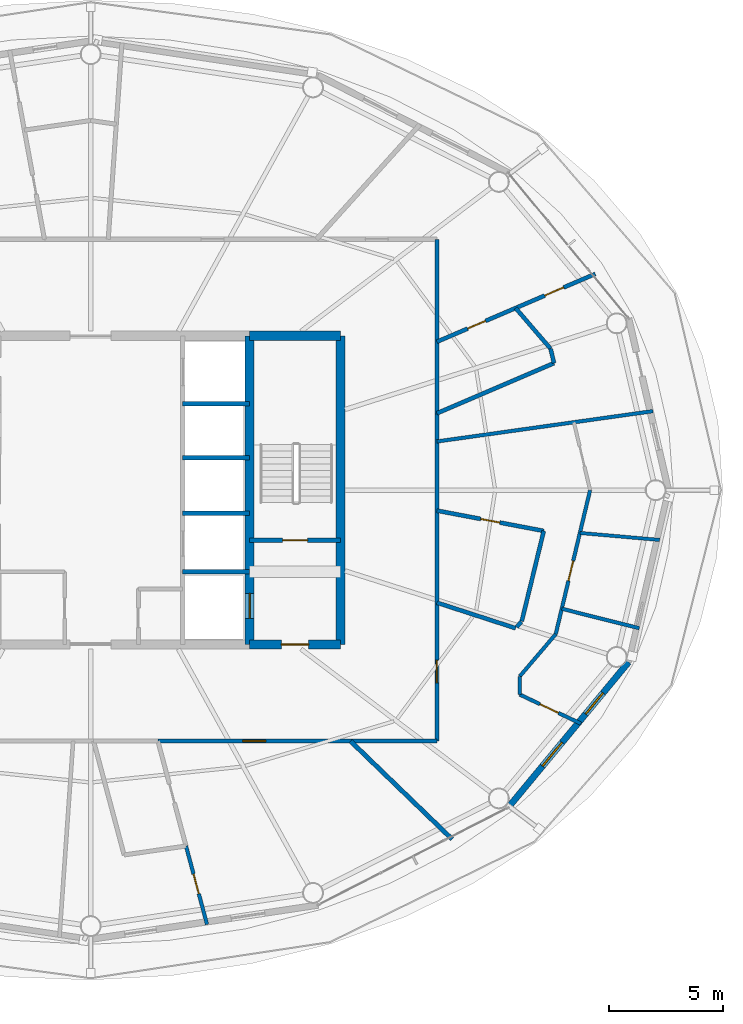
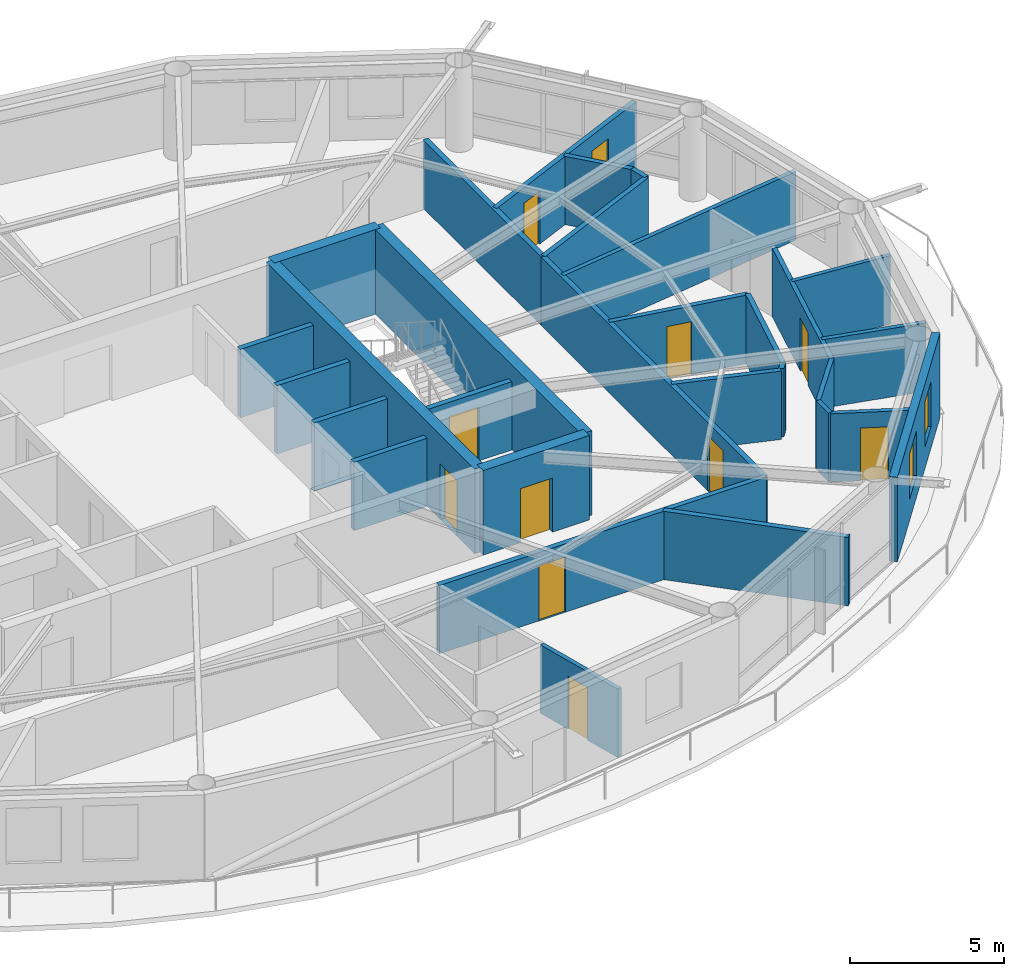
# One storey, part 17 of 22: 30 walls, 11 doors, 2 windows, 13 openings.
"""IFC4 building model written with IfcOpenShell, lengths in metres."""

from ifc_helpers import new_model, si_unit, direction, frame, frame_2d, origin, place, context, subcontext, project, spatial, rectangle, extrude, material, layer, layer_set, type_object, element, fill, save


model = new_model("IFC4")

# Units and contexts
model_context = context("Model", 3, precision=1e-05, world=origin(), true_north=direction((0.0, 1.0)))
body_context = subcontext(model_context, "Body", "Model", "MODEL_VIEW")
ifc_project = project(units=[si_unit("LENGTHUNIT", "METRE"), si_unit("AREAUNIT", "SQUARE_METRE"), si_unit("VOLUMEUNIT", "CUBIC_METRE"), si_unit("PLANEANGLEUNIT", "RADIAN"), si_unit("MASSUNIT", "GRAM", prefix="KILO")], contexts=[model_context])

# Site, building, storey
site_placement = place(None, origin())
site = spatial("IfcSite", under=ifc_project, at=site_placement, CompositionType="ELEMENT")
building_placement = place(site_placement, origin())
building = spatial("IfcBuilding", under=site, at=building_placement, Name="Sarneth Arch Tower", CompositionType="ELEMENT")
storey_placement = place(building_placement, frame((0.0, 0.0, 213.60009765625)))
storey = spatial("IfcBuildingStorey", under=building, at=storey_placement, Name="L54", CompositionType="ELEMENT", Elevation=213.60009765625)

# Wall, opening, door
ifc_material_1 = material(Name="Concrete C50/60", Category="concrete")
ifc_layer_1 = layer(ifc_material_1, 0.39990234375)
ifc_layer_set_1 = layer_set([ifc_layer_1], Name="Concrete C50/60")
wall_type_1 = type_object("IfcWallType", Name="WALL-CORE-400", PredefinedType="SHEAR", material=ifc_layer_set_1)
wall_1_placement = place(storey_placement, frame((55.0, 35.199951171875, 0.0), z_axis=(0.0, 0.0, 1.0), x_axis=(1.0, 0.0, 0.0)))
wall_1 = element("IfcWall", 1, at=wall_1_placement, inside=storey, type_object=wall_type_1, Name="L54 Core shear wall S-E", PredefinedType="SHEAR", context=body_context, shape_type="SweptSolid", body=[
    extrude(rectangle(XDim=4.0, YDim=0.39990234375, at=frame_2d((2.0, 0.0))), origin(), (0.0, 0.0, 1.0), 3.35986328125),
])
opening_1_placement = place(wall_1_placement, frame((1.39990234375, 0.0, 0.0)))
opening_1 = element("IfcOpeningElement", 2, at=opening_1_placement, cuts=wall_1, Name="Opening FD-02", PredefinedType="OPENING", context=body_context, shape_type="SweptSolid", body=[
    extrude(rectangle(XDim=1.199951171875, YDim=2.14990234375, at=frame_2d((0.60009765625, 1.074951171875))), frame((0.0, 0.2099609375, 0.0), z_axis=(0.0, -1.0, 0.0), x_axis=(1.0, 0.0, 0.0)), (0.0, 0.0, 1.0), 0.419921875),
])
ifc_material_2 = material(Name="Galvanised Steel S275 fire door set", Category="steel")
door_type_1 = type_object("IfcDoorType", Name="DR-FD90-1200", OperationType="SINGLE_SWING_LEFT", PredefinedType="DOOR", material=ifc_material_2)
door_1_placement = place(opening_1_placement, origin())
door_1 = element("IfcDoor", 3, at=door_1_placement, inside=storey, type_object=door_type_1, Name="L54 Firefighting lobby 2 exit door", OperationType="SINGLE_SWING_RIGHT", OverallHeight=2.14990234375, OverallWidth=1.199951171875, PredefinedType="DOOR", context=body_context, shape_type="SweptSolid", body=[
    extrude(rectangle(XDim=1.199951171875, YDim=2.14990234375, at=frame_2d((0.60009765625, 1.074951171875))), frame((0.0, 0.02490234375, 0.0), z_axis=(0.0, -1.0, 0.0), x_axis=(1.0, 0.0, 0.0)), (0.0, 0.0, 1.0), 0.050048828125),
])
fill(opening_1, door_1)

# Walls
wall_2_placement = place(storey_placement, frame((55.0, 48.800048828125, 0.0), z_axis=(0.0, 0.0, 1.0), x_axis=(1.0, 0.0, 0.0)))
element("IfcWall", 4, at=wall_2_placement, inside=storey, type_object=wall_type_1, Name="L54 Core shear wall N-E", PredefinedType="SHEAR", context=body_context, shape_type="SweptSolid", body=[
    extrude(rectangle(XDim=4.0, YDim=0.39990234375, at=frame_2d((2.0, 0.0))), origin(), (0.0, 0.0, 1.0), 3.35986328125),
])
wall_3_placement = place(storey_placement, frame((59.0, 35.199951171875, 0.0), z_axis=(0.0, 0.0, 1.0), x_axis=(0.0, 1.0, 0.0)))
element("IfcWall", 5, at=wall_3_placement, inside=storey, type_object=wall_type_1, Name="L54 Core shear wall E", PredefinedType="SHEAR", context=body_context, shape_type="SweptSolid", body=[
    extrude(rectangle(XDim=13.60009765625, YDim=0.39990234375, at=frame_2d((6.800048828125, 0.0))), origin(), (0.0, 0.0, 1.0), 3.35986328125),
])

# Wall, opening, door
wall_4_placement = place(storey_placement, frame((55.0, 35.199951171875, 0.0), z_axis=(0.0, 0.0, 1.0), x_axis=(0.0, 1.0, 0.0)))
wall_4 = element("IfcWall", 6, at=wall_4_placement, inside=storey, type_object=wall_type_1, Name="L54 Core shear wall WEB-E", PredefinedType="SHEAR", context=body_context, shape_type="SweptSolid", body=[
    extrude(rectangle(XDim=13.60009765625, YDim=0.39990234375, at=frame_2d((6.800048828125, 0.0))), origin(), (0.0, 0.0, 1.0), 3.35986328125),
])
opening_2_placement = place(wall_4_placement, frame((1.14990234375, 0.0, 0.0)))
opening_2 = element("IfcOpeningElement", 7, at=opening_2_placement, cuts=wall_4, Name="Opening LD-1", PredefinedType="OPENING", context=body_context, shape_type="SweptSolid", body=[
    extrude(rectangle(XDim=1.10009765625, YDim=2.199951171875, at=frame_2d((0.550048828125, 1.10009765625))), frame((0.0, 0.2099609375, 0.0), z_axis=(0.0, -1.0, 0.0), x_axis=(1.0, 0.0, 0.0)), (0.0, 0.0, 1.0), 0.419921875),
])
ifc_material_3 = material(Name="Brushed Stainless Steel 304 lift landing door", Category="steel")
door_type_2 = type_object("IfcDoorType", Name="DR-LIFT-SLIDE-1100", OperationType="SLIDING_TO_LEFT", PredefinedType="DOOR", material=ifc_material_3)
door_2_placement = place(opening_2_placement, origin())
door_2 = element("IfcDoor", 8, at=door_2_placement, inside=storey, type_object=door_type_2, Name="L54 Firefighting lift landing door FL-2", OperationType="SLIDING_TO_RIGHT", OverallHeight=2.199951171875, OverallWidth=1.10009765625, PredefinedType="DOOR", context=body_context, shape_type="SweptSolid", body=[
    extrude(rectangle(XDim=1.10009765625, YDim=2.199951171875, at=frame_2d((0.550048828125, 1.10009765625))), frame((0.0, 0.02490234375, 0.0), z_axis=(0.0, -1.0, 0.0), x_axis=(1.0, 0.0, 0.0)), (0.0, 0.0, 1.0), 0.050048828125),
])
fill(opening_2, door_2)

ifc_material_4 = material(Name="Double steel-stud corridor fire wall", Category="steel")
ifc_layer_2 = layer(ifc_material_4, 0.18994140625)
ifc_layer_set_2 = layer_set([ifc_layer_2], Name="Double steel-stud corridor fire wall")
wall_type_2 = type_object("IfcWallType", Name="WALL-CORR-190", PredefinedType="PARTITIONING", material=ifc_layer_set_2)
wall_5_placement = place(storey_placement, frame((50.960693359375, 30.949951171875, 0.0), z_axis=(0.0, 0.0, 1.0), x_axis=(1.0, 0.0, 0.0)))
wall_5 = element("IfcWall", 9, at=wall_5_placement, inside=storey, type_object=wall_type_2, Name="L54 Interior partition W-L54-TP-017", PredefinedType="PARTITIONING", context=body_context, shape_type="SweptSolid", body=[
    extrude(rectangle(XDim=12.289306640625, YDim=0.18994140625, at=frame_2d((6.14453125, 0.0))), origin(), (0.0, 0.0, 1.0), 2.719970703125),
])
opening_3_placement = place(wall_5_placement, frame((3.740966796875, 0.0, 0.0)))
opening_3 = element("IfcOpeningElement", 10, at=opening_3_placement, cuts=wall_5, Name="Opening FD-08", PredefinedType="OPENING", context=body_context, shape_type="SweptSolid", body=[
    extrude(rectangle(XDim=1.0, YDim=2.199951171875, at=frame_2d((0.5, 1.10009765625))), frame((0.0, 0.10498046875, 0.0), z_axis=(0.0, -1.0, 0.0), x_axis=(1.0, 0.0, 0.0)), (0.0, 0.0, 1.0), 0.2099609375),
])
ifc_material_5 = material(Name="Hardwood timber acoustic fire door", Category="wood")
door_type_3 = type_object("IfcDoorType", Name="DR-FD60-1000", OperationType="SINGLE_SWING_LEFT", PredefinedType="DOOR", material=ifc_material_5)
door_3_placement = place(opening_3_placement, origin())
door_3 = element("IfcDoor", 11, at=door_3_placement, inside=storey, type_object=door_type_3, Name="L54 Interior door DR-L54-U7-ENT", OperationType="SINGLE_SWING_LEFT", OverallHeight=2.199951171875, OverallWidth=1.0, PredefinedType="DOOR", context=body_context, shape_type="SweptSolid", body=[
    extrude(rectangle(XDim=1.0, YDim=2.199951171875, at=frame_2d((0.5, 1.10009765625))), frame((0.0, 0.02490234375, 0.0), z_axis=(0.0, -1.0, 0.0), x_axis=(1.0, 0.0, 0.0)), (0.0, 0.0, 1.0), 0.050048828125),
])
fill(opening_3, door_3)

wall_6_placement = place(storey_placement, frame((63.25, 45.419189453125, 0.0), z_axis=(0.0, 0.0, 1.0), x_axis=(0.0, -1.0, 0.0)))
wall_6 = element("IfcWall", 12, at=wall_6_placement, inside=storey, type_object=wall_type_2, Name="L54 Interior partition W-L54-TP-020", PredefinedType="PARTITIONING", context=body_context, shape_type="SweptSolid", body=[
    extrude(rectangle(XDim=14.46923828125, YDim=0.18994140625, at=frame_2d((7.234619140625, 0.0))), origin(), (0.0, 0.0, 1.0), 2.719970703125),
])
opening_4_placement = place(wall_6_placement, frame((10.90478515625, 0.0, 0.0)))
opening_4 = element("IfcOpeningElement", 13, at=opening_4_placement, cuts=wall_6, Name="Opening FD-08", PredefinedType="OPENING", context=body_context, shape_type="SweptSolid", body=[
    extrude(rectangle(XDim=1.0, YDim=2.199951171875, at=frame_2d((0.5, 1.10009765625))), frame((0.0, 0.10498046875, 0.0), z_axis=(0.0, -1.0, 0.0), x_axis=(1.0, 0.0, 0.0)), (0.0, 0.0, 1.0), 0.2099609375),
])
door_4_placement = place(opening_4_placement, origin())
door_4 = element("IfcDoor", 14, at=door_4_placement, inside=storey, type_object=door_type_3, Name="L54 Interior door DR-L54-U8-ENT", OperationType="SINGLE_SWING_RIGHT", OverallHeight=2.199951171875, OverallWidth=1.0, PredefinedType="DOOR", context=body_context, shape_type="SweptSolid", body=[
    extrude(rectangle(XDim=1.0, YDim=2.199951171875, at=frame_2d((0.5, 1.10009765625))), frame((0.0, 0.02490234375, 0.0), z_axis=(0.0, -1.0, 0.0), x_axis=(1.0, 0.0, 0.0)), (0.0, 0.0, 1.0), 0.050048828125),
])
fill(opening_4, door_4)

# Wall
wall_7_placement = place(storey_placement, frame((63.25, 45.349609375, 0.0), z_axis=(0.0, 0.0, 1.0), x_axis=(0.0, 1.0, 0.0)))
element("IfcWall", 15, at=wall_7_placement, inside=storey, type_object=wall_type_2, Name="L54 Interior partition W-L54-TP-001", PredefinedType="PARTITIONING", context=body_context, shape_type="SweptSolid", body=[
    extrude(rectangle(XDim=7.700439453125, YDim=0.18994140625, at=frame_2d((3.85009765625, 0.0))), origin(), (0.0, 0.0, 1.0), 2.719970703125),
])

# Wall, openings, windows
ifc_material_6 = material(Name="Extruded terracotta rainscreen on Concrete C40/50 backing", Category="masonry")
ifc_layer_3 = layer(ifc_material_6, 0.280029296875)
ifc_layer_set_3 = layer_set([ifc_layer_3], Name="Extruded terracotta rainscreen on Concrete C40/50 backing")
wall_type_3 = type_object("IfcWallType", Name="WALL-EXT-TERRA-280", PredefinedType="SOLIDWALL", material=ifc_layer_set_3)
wall_8_placement = place(storey_placement, frame((66.382568359375, 28.013427734375, 0.0), z_axis=(0.0, 0.0, 1.0), x_axis=(0.63761509934, 0.770355103243, 0.0)))
wall_8 = element("IfcWall", 16, at=wall_8_placement, inside=storey, type_object=wall_type_3, Name="L54 Terracotta perimeter wall 15", PredefinedType="SOLIDWALL", context=body_context, shape_type="SweptSolid", body=[
    extrude(rectangle(XDim=8.329833984375, YDim=0.280029296875, at=frame_2d((4.1650390625, 0.0))), origin(), (0.0, 0.0, 1.0), 3.35986328125),
])
opening_5_placement = place(wall_8_placement, frame((2.3779296875, 0.0, 0.85009765625)))
opening_5 = element("IfcOpeningElement", 17, at=opening_5_placement, cuts=wall_8, Name="Opening W-08", PredefinedType="OPENING", context=body_context, shape_type="SweptSolid", body=[
    extrude(rectangle(XDim=1.35009765625, YDim=1.800048828125, at=frame_2d((0.675048828125, 0.89990234375))), frame((0.0, 0.14990234375, 0.0), z_axis=(0.0, -1.0, 0.0), x_axis=(1.0, 0.0, 0.0)), (0.0, 0.0, 1.0), 0.300048828125),
])
opening_6_placement = place(wall_8_placement, frame((5.358154296875, 0.0, 0.85009765625)))
opening_6 = element("IfcOpeningElement", 18, at=opening_6_placement, cuts=wall_8, Name="Opening W-09", PredefinedType="OPENING", context=body_context, shape_type="SweptSolid", body=[
    extrude(rectangle(XDim=1.199951171875, YDim=1.800048828125, at=frame_2d((0.60009765625, 0.89990234375))), frame((0.0, 0.14990234375, 0.0), z_axis=(0.0, -1.0, 0.0), x_axis=(1.0, 0.0, 0.0)), (0.0, 0.0, 1.0), 0.300048828125),
])
ifc_material_7 = material(Name="Thermally broken Aluminium 6063-T6 and low-e laminated IGU", Category="aluminium")
window_type_1 = type_object("IfcWindowType", Name="WIN-TWR-1200x1800", PartitioningType="SINGLE_PANEL", PredefinedType="WINDOW", material=ifc_material_7)
window_1_placement = place(opening_6_placement, origin())
window_1 = element("IfcWindow", 19, at=window_1_placement, inside=storey, type_object=window_type_1, Name="L54 Exterior window 15B", OverallHeight=1.800048828125, OverallWidth=1.199951171875, PartitioningType="SINGLE_PANEL", PredefinedType="WINDOW", context=body_context, shape_type="SweptSolid", body=[
    extrude(rectangle(XDim=1.199951171875, YDim=1.800048828125, at=frame_2d((0.60009765625, 0.89990234375))), frame((0.0, 0.030029296875, 0.0), z_axis=(0.0, -1.0, 0.0), x_axis=(1.0, 0.0, 0.0)), (0.0, 0.0, 1.0), 0.06005859375),
])
fill(opening_6, window_1)
ifc_material_8 = material(Name="Thermally broken Aluminium 6063-T6 and low-e laminated IGU", Category="aluminium")
window_type_2 = type_object("IfcWindowType", Name="WIN-TWR-1350x1800", PartitioningType="SINGLE_PANEL", PredefinedType="WINDOW", material=ifc_material_8)
window_2_placement = place(opening_5_placement, origin())
window_2 = element("IfcWindow", 20, at=window_2_placement, inside=storey, type_object=window_type_2, Name="L54 Exterior window 15A", OverallHeight=1.800048828125, OverallWidth=1.35009765625, PartitioningType="SINGLE_PANEL", PredefinedType="WINDOW", context=body_context, shape_type="SweptSolid", body=[
    extrude(rectangle(XDim=1.35009765625, YDim=1.800048828125, at=frame_2d((0.675048828125, 0.89990234375))), frame((0.0, 0.030029296875, 0.0), z_axis=(0.0, -1.0, 0.0), x_axis=(1.0, 0.0, 0.0)), (0.0, 0.0, 1.0), 0.06005859375),
])
fill(opening_5, window_2)

# Walls
ifc_material_9 = material(Name="Acoustic gypsum stud partition", Category="gypsum")
ifc_layer_4 = layer(ifc_material_9, 0.14990234375)
ifc_layer_set_4 = layer_set([ifc_layer_4], Name="Acoustic gypsum stud partition")
wall_type_4 = type_object("IfcWallType", Name="WALL-PART-150", PredefinedType="PARTITIONING", material=ifc_layer_set_4)
wall_9_placement = place(storey_placement, frame((73.06103515625, 39.807373046875, 0.0), z_axis=(0.0, 0.0, 1.0), x_axis=(-0.996192140099, 0.087184975795, 0.0)))
element("IfcWall", 21, at=wall_9_placement, inside=storey, type_object=wall_type_4, Name="L54 Interior partition W-L54-TP-080", PredefinedType="PARTITIONING", context=body_context, shape_type="SweptSolid", body=[
    extrude(rectangle(XDim=3.5283203125, YDim=0.14990234375, at=frame_2d((1.76416015625, 0.0))), origin(), (0.0, 0.0, 1.0), 2.719970703125),
])
ifc_material_10 = material(Name="Kitchen wet service chase wall", Category="gypsum")
ifc_layer_5 = layer(ifc_material_10, 0.159912109375)
ifc_layer_set_5 = layer_set([ifc_layer_5], Name="Kitchen wet service chase wall")
wall_type_5 = type_object("IfcWallType", Name="WALL-PLUMB-160", PredefinedType="PLUMBINGWALL", material=ifc_layer_set_5)
wall_10_placement = place(storey_placement, frame((63.25, 44.143310546875, 0.0), z_axis=(0.0, 0.0, 1.0), x_axis=(0.990269661234, 0.139161769316, 0.0)))
element("IfcWall", 22, at=wall_10_placement, inside=storey, type_object=wall_type_5, Name="L54 Interior partition W-L54-TP-030", PredefinedType="PLUMBINGWALL", context=body_context, shape_type="SweptSolid", body=[
    extrude(rectangle(XDim=9.60693359375, YDim=0.159912109375, at=frame_2d((4.803466796875, 0.0))), origin(), (0.0, 0.0, 1.0), 2.719970703125),
])

# Wall, opening, door
wall_11_placement = place(storey_placement, frame((52.19921875, 26.327880859375, 0.0), z_axis=(0.0, 0.0, 1.0), x_axis=(0.258821309613, -0.965925219512, 0.0)))
wall_11 = element("IfcWall", 23, at=wall_11_placement, inside=storey, type_object=wall_type_5, Name="L54 Interior partition W-L54-TP-064", PredefinedType="PLUMBINGWALL", context=body_context, shape_type="SweptSolid", body=[
    extrude(rectangle(XDim=3.579833984375, YDim=0.159912109375, at=frame_2d((1.7900390625, 0.0))), origin(), (0.0, 0.0, 1.0), 2.719970703125),
])
opening_7_placement = place(wall_11_placement, frame((1.27978515625, 0.0, 0.0)))
opening_7 = element("IfcOpeningElement", 24, at=opening_7_placement, cuts=wall_11, Name="Opening ID-01", PredefinedType="OPENING", context=body_context, shape_type="SweptSolid", body=[
    extrude(rectangle(XDim=0.89990234375, YDim=2.10009765625, at=frame_2d((0.449951171875, 1.050048828125))), frame((0.0, 0.08984375, 0.0), z_axis=(0.0, -1.0, 0.0), x_axis=(1.0, 0.0, 0.0)), (0.0, 0.0, 1.0), 0.179931640625),
])
ifc_material_11 = material(Name="Engineered hardwood flush door", Category="wood")
door_type_4 = type_object("IfcDoorType", Name="DR-INT-900", OperationType="SINGLE_SWING_LEFT", PredefinedType="DOOR", material=ifc_material_11)
door_5_placement = place(opening_7_placement, origin())
door_5 = element("IfcDoor", 25, at=door_5_placement, inside=storey, type_object=door_type_4, Name="L54 Interior door DR-L54-U7-KIT", OperationType="SINGLE_SWING_RIGHT", OverallHeight=2.10009765625, OverallWidth=0.89990234375, PredefinedType="DOOR", context=body_context, shape_type="SweptSolid", body=[
    extrude(rectangle(XDim=0.89990234375, YDim=2.10009765625, at=frame_2d((0.449951171875, 1.050048828125))), frame((0.0, 0.02490234375, 0.0), z_axis=(0.0, -1.0, 0.0), x_axis=(1.0, 0.0, 0.0)), (0.0, 0.0, 1.0), 0.050048828125),
])
fill(opening_7, door_5)

# Wall
wall_12_placement = place(storey_placement, frame((68.7490234375, 36.777587890625, 0.0), z_axis=(0.0, 0.0, 1.0), x_axis=(0.96975767026, -0.244069787092, 0.0)))
element("IfcWall", 26, at=wall_12_placement, inside=storey, type_object=wall_type_5, Name="L54 Interior partition W-L54-TP-079", PredefinedType="PLUMBINGWALL", context=body_context, shape_type="SweptSolid", body=[
    extrude(rectangle(XDim=3.51904296875, YDim=0.159912109375, at=frame_2d((1.759521484375, 0.0))), origin(), (0.0, 0.0, 1.0), 2.719970703125),
])

# Wall, opening, door
wall_13_placement = place(storey_placement, frame((69.996337890625, 42.0, 0.0), z_axis=(0.0, 0.0, 1.0), x_axis=(-0.232298462197, -0.972644551962, 0.0)))
wall_13 = element("IfcWall", 27, at=wall_13_placement, inside=storey, type_object=wall_type_5, Name="L54 Interior partition W-L54-TP-076", PredefinedType="PLUMBINGWALL", context=body_context, shape_type="SweptSolid", body=[
    extrude(rectangle(XDim=6.5234375, YDim=0.159912109375, at=frame_2d((3.26171875, 0.0))), origin(), (0.0, 0.0, 1.0), 2.719970703125),
])
opening_8_placement = place(wall_13_placement, frame((3.20361328125, 0.0, 0.0)))
opening_8 = element("IfcOpeningElement", 28, at=opening_8_placement, cuts=wall_13, Name="Opening ID-01", PredefinedType="OPENING", context=body_context, shape_type="SweptSolid", body=[
    extrude(rectangle(XDim=0.89990234375, YDim=2.10009765625, at=frame_2d((0.449951171875, 1.050048828125))), frame((0.0, 0.08984375, 0.0), z_axis=(0.0, -1.0, 0.0), x_axis=(1.0, 0.0, 0.0)), (0.0, 0.0, 1.0), 0.179931640625),
])
door_6_placement = place(opening_8_placement, origin())
door_6 = element("IfcDoor", 29, at=door_6_placement, inside=storey, type_object=door_type_4, Name="L54 Interior door DR-L54-U8-BED1", OperationType="SINGLE_SWING_RIGHT", OverallHeight=2.10009765625, OverallWidth=0.89990234375, PredefinedType="DOOR", context=body_context, shape_type="SweptSolid", body=[
    extrude(rectangle(XDim=0.89990234375, YDim=2.10009765625, at=frame_2d((0.449951171875, 1.050048828125))), frame((0.0, 0.02490234375, 0.0), z_axis=(0.0, -1.0, 0.0), x_axis=(1.0, 0.0, 0.0)), (0.0, 0.0, 1.0), 0.050048828125),
])
fill(opening_8, door_6)

wall_14_placement = place(storey_placement, frame((69.59619140625, 31.7138671875, 0.0), z_axis=(0.0, 0.0, 1.0), x_axis=(-0.902830295341, 0.42999704396, 0.0)))
wall_14 = element("IfcWall", 30, at=wall_14_placement, inside=storey, type_object=wall_type_5, Name="L54 Interior partition W-L54-TP-068", PredefinedType="PLUMBINGWALL", context=body_context, shape_type="SweptSolid", body=[
    extrude(rectangle(XDim=2.986572265625, YDim=0.159912109375, at=frame_2d((1.4931640625, 0.0))), origin(), (0.0, 0.0, 1.0), 2.719970703125),
])
opening_9_placement = place(wall_14_placement, frame((1.103271484375, 0.0, 0.0)))
opening_9 = element("IfcOpeningElement", 31, at=opening_9_placement, cuts=wall_14, Name="Opening ID-01", PredefinedType="OPENING", context=body_context, shape_type="SweptSolid", body=[
    extrude(rectangle(XDim=0.89990234375, YDim=2.10009765625, at=frame_2d((0.449951171875, 1.050048828125))), frame((0.0, 0.08984375, 0.0), z_axis=(0.0, -1.0, 0.0), x_axis=(1.0, 0.0, 0.0)), (0.0, 0.0, 1.0), 0.179931640625),
])
door_7_placement = place(opening_9_placement, origin())
door_7 = element("IfcDoor", 32, at=door_7_placement, inside=storey, type_object=door_type_4, Name="L54 Interior door DR-L54-U8-KIT", OperationType="SINGLE_SWING_RIGHT", OverallHeight=2.10009765625, OverallWidth=0.89990234375, PredefinedType="DOOR", context=body_context, shape_type="SweptSolid", body=[
    extrude(rectangle(XDim=0.89990234375, YDim=2.10009765625, at=frame_2d((0.449951171875, 1.050048828125))), frame((0.0, 0.02490234375, 0.0), z_axis=(0.0, -1.0, 0.0), x_axis=(1.0, 0.0, 0.0)), (0.0, 0.0, 1.0), 0.050048828125),
])
fill(opening_9, door_7)

# Walls
wall_15_placement = place(storey_placement, frame((66.89990234375, 33.802978515625, 0.0), z_axis=(0.0, 0.0, 1.0), x_axis=(0.649270866973, 0.760557257082, 0.0)))
element("IfcWall", 33, at=wall_15_placement, inside=storey, type_object=wall_type_5, Name="L54 Interior partition W-L54-TP-070", PredefinedType="PLUMBINGWALL", context=body_context, shape_type="SweptSolid", body=[
    extrude(rectangle(XDim=2.43505859375, YDim=0.159912109375, at=frame_2d((1.217529296875, 0.0))), origin(), (0.0, 0.0, 1.0), 2.719970703125),
])
wall_16_placement = place(storey_placement, frame((66.89990234375, 32.998046875, 0.0), z_axis=(0.0, 0.0, 1.0), x_axis=(0.0, 1.0, 0.0)))
element("IfcWall", 34, at=wall_16_placement, inside=storey, type_object=wall_type_5, Name="L54 Interior partition W-L54-TP-069", PredefinedType="PLUMBINGWALL", context=body_context, shape_type="SweptSolid", body=[
    extrude(rectangle(XDim=0.804931640625, YDim=0.159912109375, at=frame_2d((0.40234375, 0.0))), origin(), (0.0, 0.0, 1.0), 2.719970703125),
])
ifc_material_12 = material(Name="Moisture-resistant plumbing chase wall", Category="gypsum")
ifc_layer_6 = layer(ifc_material_12, 0.179931640625)
ifc_layer_set_6 = layer_set([ifc_layer_6], Name="Moisture-resistant plumbing chase wall")
wall_type_6 = type_object("IfcWallType", Name="WALL-PLUMB-180", PredefinedType="PLUMBINGWALL", material=ifc_layer_set_6)
wall_17_placement = place(storey_placement, frame((68.407470703125, 47.5947265625, 0.0), z_axis=(0.0, 0.0, 1.0), x_axis=(-0.919138278408, -0.393935051963, 0.0)))
element("IfcWall", 35, at=wall_17_placement, inside=storey, type_object=wall_type_6, Name="L54 Interior partition W-L54-TP-029", PredefinedType="PLUMBINGWALL", context=body_context, shape_type="SweptSolid", body=[
    extrude(rectangle(XDim=5.611083984375, YDim=0.179931640625, at=frame_2d((2.8056640625, 0.0))), origin(), (0.0, 0.0, 1.0), 2.719970703125),
])

# Wall, opening, door
wall_18_placement = place(storey_placement, frame((67.955322265625, 40.20458984375, 0.0), z_axis=(0.0, 0.0, 1.0), x_axis=(-0.982404536053, 0.186765434551, 0.0)))
wall_18 = element("IfcWall", 36, at=wall_18_placement, inside=storey, type_object=wall_type_6, Name="L54 Interior partition W-L54-TP-075", PredefinedType="PLUMBINGWALL", context=body_context, shape_type="SweptSolid", body=[
    extrude(rectangle(XDim=4.78955078125, YDim=0.179931640625, at=frame_2d((2.394775390625, 0.0))), origin(), (0.0, 0.0, 1.0), 2.719970703125),
])
opening_10_placement = place(wall_18_placement, frame((1.9697265625, 0.0, 0.0)))
opening_10 = element("IfcOpeningElement", 37, at=opening_10_placement, cuts=wall_18, Name="Opening ID-02", PredefinedType="OPENING", context=body_context, shape_type="SweptSolid", body=[
    extrude(rectangle(XDim=0.85009765625, YDim=2.10009765625, at=frame_2d((0.425048828125, 1.050048828125))), frame((0.0, 0.099853515625, 0.0), z_axis=(0.0, -1.0, 0.0), x_axis=(1.0, 0.0, 0.0)), (0.0, 0.0, 1.0), 0.199951171875),
])
ifc_material_13 = material(Name="Moisture-resistant bathroom timber door", Category="wood")
door_type_5 = type_object("IfcDoorType", Name="DR-INT-850", OperationType="SINGLE_SWING_RIGHT", PredefinedType="DOOR", material=ifc_material_13)
door_8_placement = place(opening_10_placement, origin())
door_8 = element("IfcDoor", 38, at=door_8_placement, inside=storey, type_object=door_type_5, Name="L54 Interior door DR-L54-U8-BATH", OperationType="SINGLE_SWING_RIGHT", OverallHeight=2.10009765625, OverallWidth=0.85009765625, PredefinedType="DOOR", context=body_context, shape_type="SweptSolid", body=[
    extrude(rectangle(XDim=0.85009765625, YDim=2.10009765625, at=frame_2d((0.425048828125, 1.050048828125))), frame((0.0, 0.02490234375, 0.0), z_axis=(0.0, -1.0, 0.0), x_axis=(1.0, 0.0, 0.0)), (0.0, 0.0, 1.0), 0.050048828125),
])
fill(opening_10, door_8)

# Wall
wall_19_placement = place(storey_placement, frame((66.987548828125, 36.22900390625, 0.0), z_axis=(0.0, 0.0, 1.0), x_axis=(0.236522101202, 0.971626108975, 0.0)))
element("IfcWall", 39, at=wall_19_placement, inside=storey, type_object=wall_type_6, Name="L54 Interior partition W-L54-TP-074", PredefinedType="PLUMBINGWALL", context=body_context, shape_type="SweptSolid", body=[
    extrude(rectangle(XDim=4.091796875, YDim=0.179931640625, at=frame_2d((2.0458984375, 0.0))), origin(), (0.0, 0.0, 1.0), 2.719970703125),
])

# Wall, openings, doors
wall_20_placement = place(storey_placement, frame((63.25, 48.5361328125, 0.0), z_axis=(0.0, 0.0, 1.0), x_axis=(0.919133380172, 0.393946480443, 0.0)))
wall_20 = element("IfcWall", 40, at=wall_20_placement, inside=storey, type_object=wall_type_6, Name="L54 Interior partition W-L54-TP-025", PredefinedType="PLUMBINGWALL", context=body_context, shape_type="SweptSolid", body=[
    extrude(rectangle(XDim=7.587890625, YDim=0.179931640625, at=frame_2d((3.7939453125, 0.0))), origin(), (0.0, 0.0, 1.0), 2.719970703125),
])
opening_11_placement = place(wall_20_placement, frame((5.168701171875, 0.0, 0.0)))
opening_11 = element("IfcOpeningElement", 41, at=opening_11_placement, cuts=wall_20, Name="Opening ID-01", PredefinedType="OPENING", context=body_context, shape_type="SweptSolid", body=[
    extrude(rectangle(XDim=0.89990234375, YDim=2.10009765625, at=frame_2d((0.449951171875, 1.050048828125))), frame((0.0, 0.099853515625, 0.0), z_axis=(0.0, -1.0, 0.0), x_axis=(1.0, 0.0, 0.0)), (0.0, 0.0, 1.0), 0.199951171875),
])
opening_12_placement = place(wall_20_placement, frame((1.476806640625, 0.0, 0.0)))
opening_12 = element("IfcOpeningElement", 42, at=opening_12_placement, cuts=wall_20, Name="Opening ID-02", PredefinedType="OPENING", context=body_context, shape_type="SweptSolid", body=[
    extrude(rectangle(XDim=0.85009765625, YDim=2.10009765625, at=frame_2d((0.425048828125, 1.050048828125))), frame((0.0, 0.099853515625, 0.0), z_axis=(0.0, -1.0, 0.0), x_axis=(1.0, 0.0, 0.0)), (0.0, 0.0, 1.0), 0.199951171875),
])
door_9_placement = place(opening_12_placement, origin())
door_9 = element("IfcDoor", 43, at=door_9_placement, inside=storey, type_object=door_type_5, Name="L54 Interior door DR-L54-U1-BATH", OperationType="SINGLE_SWING_RIGHT", OverallHeight=2.10009765625, OverallWidth=0.85009765625, PredefinedType="DOOR", context=body_context, shape_type="SweptSolid", body=[
    extrude(rectangle(XDim=0.85009765625, YDim=2.10009765625, at=frame_2d((0.425048828125, 1.050048828125))), frame((0.0, 0.02490234375, 0.0), z_axis=(0.0, -1.0, 0.0), x_axis=(1.0, 0.0, 0.0)), (0.0, 0.0, 1.0), 0.050048828125),
])
fill(opening_12, door_9)
door_10_placement = place(opening_11_placement, origin())
door_10 = element("IfcDoor", 44, at=door_10_placement, inside=storey, type_object=door_type_4, Name="L54 Interior door DR-L54-U1-KIT", OperationType="SINGLE_SWING_LEFT", OverallHeight=2.10009765625, OverallWidth=0.89990234375, PredefinedType="DOOR", context=body_context, shape_type="SweptSolid", body=[
    extrude(rectangle(XDim=0.89990234375, YDim=2.10009765625, at=frame_2d((0.449951171875, 1.050048828125))), frame((0.0, 0.02490234375, 0.0), z_axis=(0.0, -1.0, 0.0), x_axis=(1.0, 0.0, 0.0)), (0.0, 0.0, 1.0), 0.050048828125),
])
fill(opening_11, door_10)

# Walls
wall_21_placement = place(storey_placement, frame((63.25, 37.044921875, 0.0), z_axis=(0.0, 0.0, 1.0), x_axis=(0.951066543841, -0.308986131058, 0.0)))
element("IfcWall", 45, at=wall_21_placement, inside=storey, type_object=wall_type_6, Name="L54 Interior partition W-L54-TP-072", PredefinedType="PLUMBINGWALL", context=body_context, shape_type="SweptSolid", body=[
    extrude(rectangle(XDim=3.645751953125, YDim=0.179931640625, at=frame_2d((1.82275390625, 0.0))), origin(), (0.0, 0.0, 1.0), 2.719970703125),
])
wall_22_placement = place(storey_placement, frame((66.71484375, 50.021240234375, 0.0), z_axis=(0.0, 0.0, 1.0), x_axis=(0.651871704999, -0.758329268999, 0.0)))
element("IfcWall", 46, at=wall_22_placement, inside=storey, type_object=wall_type_6, Name="L54 Interior partition W-L54-TP-027", PredefinedType="PLUMBINGWALL", context=body_context, shape_type="SweptSolid", body=[
    extrude(rectangle(XDim=2.362060546875, YDim=0.179931640625, at=frame_2d((1.18115234375, 0.0))), origin(), (0.0, 0.0, 1.0), 2.719970703125),
])
wall_23_placement = place(storey_placement, frame((68.254638671875, 48.22998046875, 0.0), z_axis=(0.0, 0.0, 1.0), x_axis=(0.233909944351, -0.972258267095, 0.0)))
element("IfcWall", 47, at=wall_23_placement, inside=storey, type_object=wall_type_6, Name="L54 Interior partition W-L54-TP-028", PredefinedType="PLUMBINGWALL", context=body_context, shape_type="SweptSolid", body=[
    extrude(rectangle(XDim=0.6533203125, YDim=0.179931640625, at=frame_2d((0.32666015625, 0.0))), origin(), (0.0, 0.0, 1.0), 2.719970703125),
])
wall_24_placement = place(storey_placement, frame((66.761962890625, 35.9697265625, 0.0), z_axis=(0.0, 0.0, 1.0), x_axis=(0.656312676344, 0.754489013088, 0.0)))
element("IfcWall", 48, at=wall_24_placement, inside=storey, type_object=wall_type_6, Name="L54 Interior partition W-L54-TP-073", PredefinedType="PLUMBINGWALL", context=body_context, shape_type="SweptSolid", body=[
    extrude(rectangle(XDim=0.31591796875, YDim=0.179931640625, at=frame_2d((0.157958984375, 0.0))), origin(), (0.0, 0.0, 1.0), 2.719970703125),
])

# Wall, opening, door
ifc_material_14 = material(Name="Aerated concrete blockwork C25/30", Category="masonry")
ifc_layer_7 = layer(ifc_material_14, 0.199951171875)
ifc_layer_set_7 = layer_set([ifc_layer_7], Name="Aerated concrete blockwork C25/30")
wall_type_7 = type_object("IfcWallType", Name="WALL-SHAFT-200", PredefinedType="SOLIDWALL", material=ifc_layer_set_7)
wall_25_placement = place(storey_placement, frame((55.0, 39.800048828125, 0.0), z_axis=(0.0, 0.0, 1.0), x_axis=(1.0, 0.0, 0.0)))
wall_25 = element("IfcWall", 49, at=wall_25_placement, inside=storey, type_object=wall_type_7, Name="L54 Interior partition W-L54-ST2-S", PredefinedType="SOLIDWALL", context=body_context, shape_type="SweptSolid", body=[
    extrude(rectangle(XDim=4.0, YDim=0.199951171875, at=frame_2d((2.0, 0.0))), origin(), (0.0, 0.0, 1.0), 2.719970703125),
])
opening_13_placement = place(wall_25_placement, frame((1.449951171875, 0.0, 0.0)))
opening_13 = element("IfcOpeningElement", 50, at=opening_13_placement, cuts=wall_25, Name="Opening FD-03", PredefinedType="OPENING", context=body_context, shape_type="SweptSolid", body=[
    extrude(rectangle(XDim=1.10009765625, YDim=2.14990234375, at=frame_2d((0.550048828125, 1.074951171875))), frame((0.0, 0.10986328125, 0.0), z_axis=(0.0, -1.0, 0.0), x_axis=(1.0, 0.0, 0.0)), (0.0, 0.0, 1.0), 0.219970703125),
])
ifc_material_15 = material(Name="Galvanised Steel S275 fire door set", Category="steel")
door_type_6 = type_object("IfcDoorType", Name="DR-FD90-1100", OperationType="SINGLE_SWING_LEFT", PredefinedType="DOOR", material=ifc_material_15)
door_11_placement = place(opening_13_placement, origin())
door_11 = element("IfcDoor", 51, at=door_11_placement, inside=storey, type_object=door_type_6, Name="L54 Interior door DR-L54-ST2", OperationType="SINGLE_SWING_RIGHT", OverallHeight=2.14990234375, OverallWidth=1.10009765625, PredefinedType="DOOR", context=body_context, shape_type="SweptSolid", body=[
    extrude(rectangle(XDim=1.10009765625, YDim=2.14990234375, at=frame_2d((0.550048828125, 1.074951171875))), frame((0.0, 0.02490234375, 0.0), z_axis=(0.0, -1.0, 0.0), x_axis=(1.0, 0.0, 0.0)), (0.0, 0.0, 1.0), 0.050048828125),
])
fill(opening_13, door_11)

# Walls
for number, where, z_axis, x_axis, name in (
    (52, (52.050048828125, 38.39990234375, 0.0), (0.0, 0.0, 1.0), (1.0, 0.0, 0.0), "L54 Interior partition W-L54-FL2-N"),
    (53, (52.050048828125, 40.97998046875, 0.0), (0.0, 0.0, 1.0), (1.0, 0.0, 0.0), "L54 Interior partition W-L54-EB-DIV-4098"),
    (54, (52.050048828125, 43.419921875, 0.0), (0.0, 0.0, 1.0), (1.0, 0.0, 0.0), "L54 Interior partition W-L54-EB-DIV-4342"),
    (55, (52.050048828125, 45.800048828125, 0.0), (0.0, 0.0, 1.0), (1.0, 0.0, 0.0), "L54 Interior partition W-L54-EB-DIV-4580"),
):
    element("IfcWall", number, at=place(storey_placement, frame(where, z_axis=z_axis, x_axis=x_axis)), inside=storey, type_object=wall_type_7, Name=name, PredefinedType="SOLIDWALL", context=body_context, shape_type="SweptSolid", body=[
        extrude(rectangle(XDim=2.949951171875, YDim=0.199951171875, at=frame_2d((1.47509765625, 0.0))), origin(), (0.0, 0.0, 1.0), 2.719970703125),
    ])
ifc_material_16 = material(Name="Double steel-stud acoustic drywall", Category="steel")
ifc_layer_8 = layer(ifc_material_16, 0.199951171875)
ifc_layer_set_8 = layer_set([ifc_layer_8], Name="Double steel-stud acoustic drywall")
wall_type_8 = type_object("IfcWallType", Name="WALL-UNIT-200", PredefinedType="PARTITIONING", material=ifc_layer_set_8)
wall_26_placement = place(storey_placement, frame((63.92138671875, 26.625, 0.0), z_axis=(0.0, 0.0, 1.0), x_axis=(-0.719350784266, 0.69464699609, 0.0)))
element("IfcWall", 56, at=wall_26_placement, inside=storey, type_object=wall_type_8, Name="L54 Interior partition W-L54-TP-065", PredefinedType="PARTITIONING", context=body_context, shape_type="SweptSolid", body=[
    extrude(rectangle(XDim=6.22607421875, YDim=0.199951171875, at=frame_2d((3.113037109375, 0.0))), origin(), (0.0, 0.0, 1.0), 2.719970703125),
])

save(model, "model.ifc")
